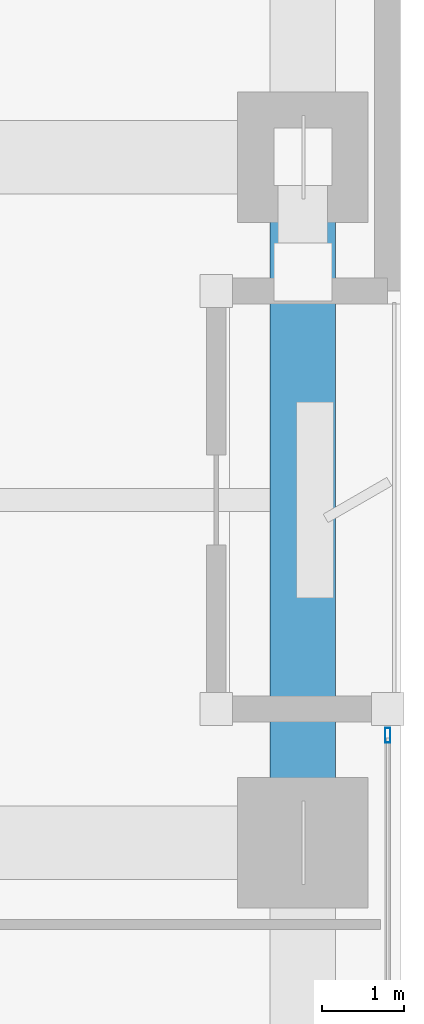
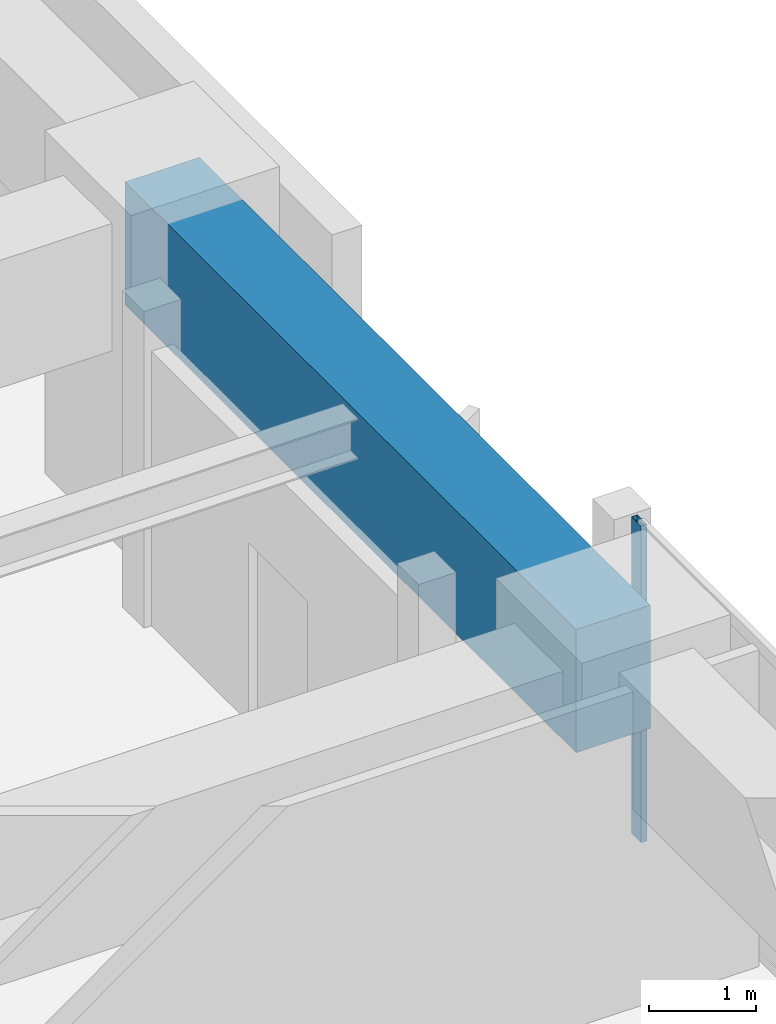
# One storey, part 10 of 28: 1 beam, 1 member, 1 element without a shape of its own.
"""IFC4 building model written with IfcOpenShell, lengths in metres."""

from ifc_helpers import new_model, si_unit, direction, frame, origin, origin_2d, place, context, subcontext, project, spatial, rectangle, hollow_rectangle, extrude, material, layer, layer_set, material_profile, profile_set, type_object, element, aggregate, save


model = new_model("IFC4")

# Units and contexts
model_context = context("Model", 3, precision=1e-05, world=origin(), true_north=direction((0.0, 1.0)))
body_context = subcontext(model_context, "Body", "Model", "MODEL_VIEW")
ifc_project = project(units=[si_unit("LENGTHUNIT", "METRE"), si_unit("AREAUNIT", "SQUARE_METRE"), si_unit("VOLUMEUNIT", "CUBIC_METRE"), si_unit("PLANEANGLEUNIT", "RADIAN"), si_unit("MASSUNIT", "GRAM", prefix="KILO")], contexts=[model_context])

# Site, building, storey
site_placement = place(None, origin())
site = spatial("IfcSite", under=ifc_project, at=site_placement, CompositionType="ELEMENT")
building_placement = place(site_placement, origin())
building = spatial("IfcBuilding", under=site, at=building_placement, Name="Kiyonajd Concourse Tower", CompositionType="ELEMENT")
storey_placement = place(building_placement, frame((0.0, 0.0, 76.800048828125)))
storey = spatial("IfcBuildingStorey", under=building, at=storey_placement, Name="L20", CompositionType="ELEMENT", Elevation=76.800048828125)

# Beam
ifc_material_1 = material(Name="Concrete C60/75", Category="concrete")
ifc_material_profile_1 = material_profile(ifc_material_1, rectangle(XDim=0.800048828125, YDim=1.39990234375, at=origin_2d()), Name="RCBM-800x1400")
ifc_profile_set_1 = profile_set([ifc_material_profile_1], Name="Concrete C60/75")
beam_type = type_object("IfcBeamType", Name="BM-XFER-RC", PredefinedType="BEAM", material=ifc_profile_set_1)
beam_placement = place(storey_placement, frame((78.0, 36.0, 2.9599609375), z_axis=(0.0, 1.0, 0.0), x_axis=(-1.0, 0.0, 0.0)))
element("IfcBeam", 1, at=beam_placement, inside=storey, type_object=beam_type, Name="L20 Perimeter Bundled Tube Spandrel", PredefinedType="BEAM", context=body_context, shape_type="SweptSolid", body=[
    extrude(rectangle(XDim=0.800048828125, YDim=1.39990234375, at=origin_2d()), origin(), (0.0, 0.0, 1.0), 8.39990234375),
])

# Curtain wall, member
ifc_material_2 = material(Name="Thermally Broken Anodised Aluminium", Category="aluminium")
ifc_layer = layer(ifc_material_2, 0.179931640625)
ifc_layer_set = layer_set([ifc_layer], Name="Thermally Broken Anodised Aluminium")
curtain_wall_type = type_object("IfcCurtainWallType", Name="CW-SYS-02", PredefinedType="NOTDEFINED", material=ifc_layer_set)
curtain_wall_placement = place(storey_placement, origin())
curtain_wall = element("IfcCurtainWall", 2, at=curtain_wall_placement, inside=storey, type_object=curtain_wall_type, Name="L20 Unitised Curtain Wall CW2", PredefinedType="NOTDEFINED")
ifc_material_profile_2 = material_profile(ifc_material_2, hollow_rectangle(XDim=0.06494140625, YDim=0.179931640625, WallThickness=0.00390625, at=origin_2d()), Name="MULL-65x180")
ifc_profile_set_2 = profile_set([ifc_material_profile_2], Name="Thermally Broken Anodised Aluminium")
member_type = type_object("IfcMemberType", Name="MB-CW-MULL1", PredefinedType="MULLION", material=ifc_profile_set_2)
member_placement = place(storey_placement, frame((79.0400390625, 37.3173828125, 0.0), z_axis=(0.0, 0.0, 1.0), x_axis=(1.0, 0.0, 0.0)))
member = element("IfcMember", 3, at=member_placement, type_object=member_type, Name="CW2 mullion 1", PredefinedType="MULLION", context=body_context, shape_type="SweptSolid", body=[
    extrude(hollow_rectangle(XDim=0.06494140625, YDim=0.179931640625, WallThickness=0.00390625, at=origin_2d()), origin(), (0.0, 0.0, 1.0), 3.599853515625),
])
aggregate(curtain_wall, [member])

save(model, "model.ifc")
